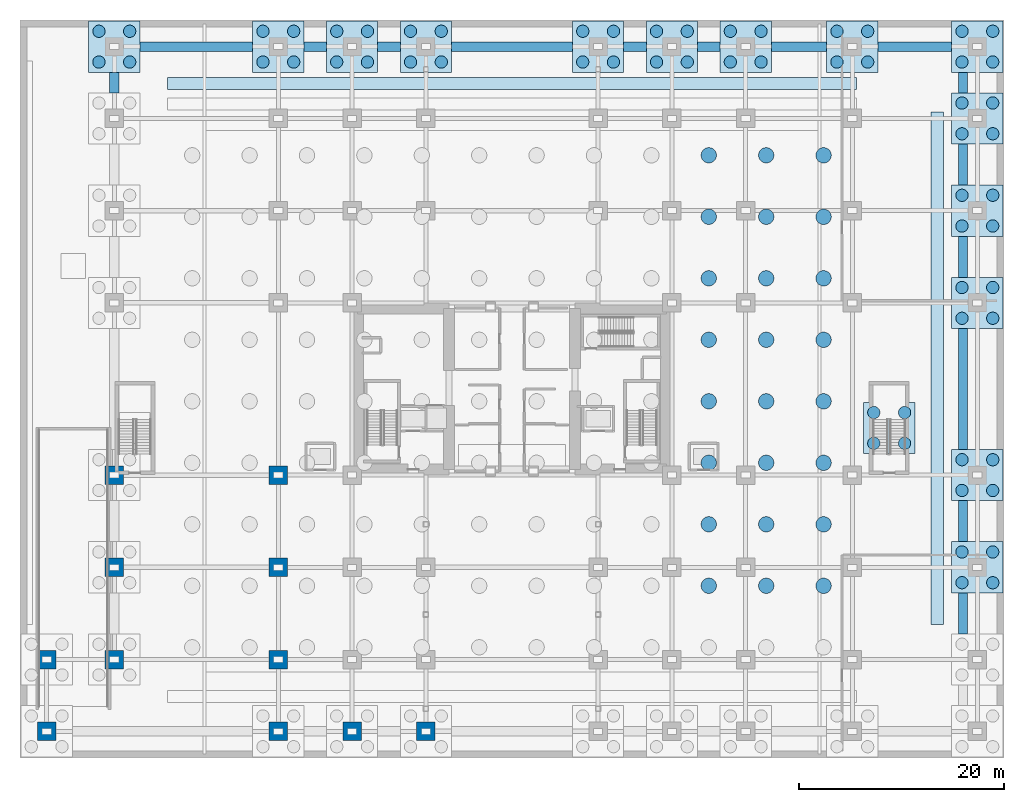
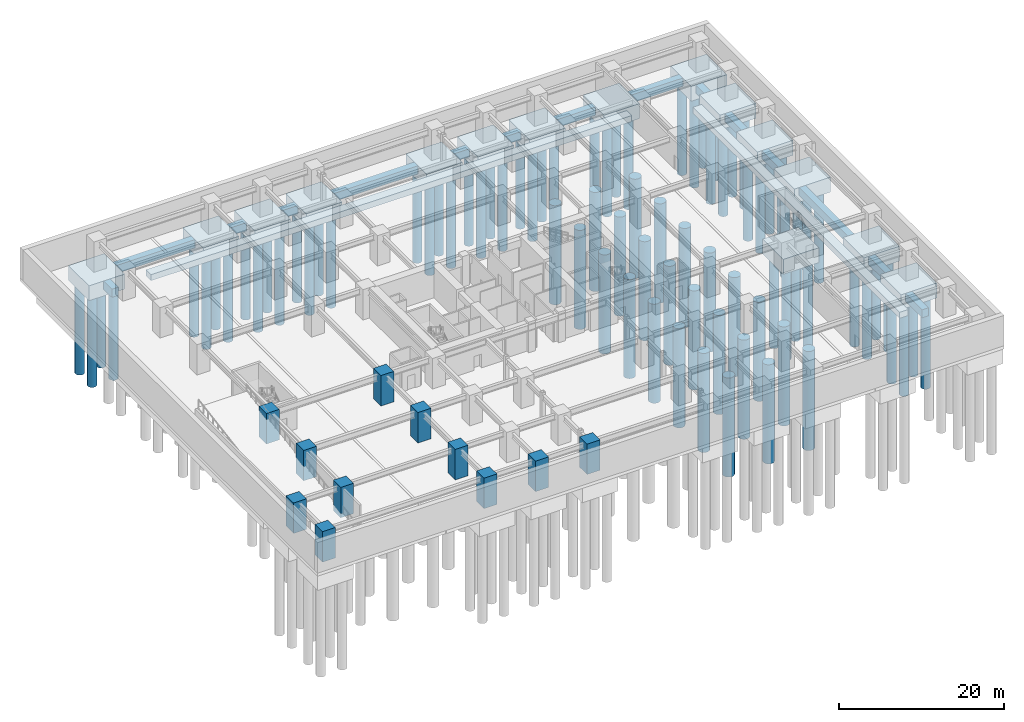
# One storey, part 2 of 23: 84 piles, 32 footings, 11 columns.
"""IFC4 building model written with IfcOpenShell, lengths in metres."""

from ifc_helpers import new_model, si_unit, direction, frame, origin, origin_2d, place, context, subcontext, project, spatial, rectangle, circle, extrude, material, material_profile, profile_set, type_object, element, save


model = new_model("IFC4")

# Units and contexts
model_context = context("Model", 3, precision=1e-05, world=origin(), true_north=direction((0.0, 1.0)))
body_context = subcontext(model_context, "Body", "Model", "MODEL_VIEW")
ifc_project = project(units=[si_unit("LENGTHUNIT", "METRE"), si_unit("AREAUNIT", "SQUARE_METRE"), si_unit("VOLUMEUNIT", "CUBIC_METRE"), si_unit("PLANEANGLEUNIT", "RADIAN"), si_unit("MASSUNIT", "GRAM", prefix="KILO")], contexts=[model_context])

# Site, building, storey
site_placement = place(None, origin())
site = spatial("IfcSite", under=ifc_project, at=site_placement, CompositionType="ELEMENT")
building_placement = place(site_placement, origin())
building = spatial("IfcBuilding", under=site, at=building_placement, Name="Kiyonajd Concourse Tower", CompositionType="ELEMENT")
storey_placement = place(building_placement, frame((0.0, 0.0, -9.0)))
storey = spatial("IfcBuildingStorey", under=building, at=storey_placement, Name="B2", CompositionType="ELEMENT", Elevation=-9.0)

# Footings
ifc_material_1 = material(Name="Concrete C50/60", Category="concrete")
footing_type_1 = type_object("IfcFootingType", Name="FT-GB-900", PredefinedType="FOOTING_BEAM", material=ifc_material_1)
footing_1_placement = place(storey_placement, frame((17.199951171875, 69.39990234375, -1.64990234375), z_axis=(0.0, 0.0, 1.0), x_axis=(1.0, 0.0, 0.0)))
element("IfcFooting", 1, at=footing_1_placement, inside=storey, type_object=footing_type_1, Name="Continuous Grade Beam GB N 1", PredefinedType="FOOTING_BEAM", context=body_context, shape_type="SweptSolid", body=[
    extrude(rectangle(XDim=11.0, YDim=0.89990234375, at=origin_2d()), origin(), (0.0, 0.0, 1.0), 1.199951171875),
])
for number, where, z_axis, x_axis, name in (
    (2, (28.800048828125, 69.39990234375, -1.64990234375), (0.0, 0.0, 1.0), (1.0, 0.0, 0.0), "Continuous Grade Beam GB N 2"),
    (3, (36.0, 69.39990234375, -1.64990234375), (0.0, 0.0, 1.0), (1.0, 0.0, 0.0), "Continuous Grade Beam GB N 3"),
):
    element("IfcFooting", number, at=place(storey_placement, frame(where, z_axis=z_axis, x_axis=x_axis)), inside=storey, type_object=footing_type_1, Name=name, PredefinedType="FOOTING_BEAM", context=body_context, shape_type="SweptSolid", body=[
        extrude(rectangle(XDim=2.199951171875, YDim=0.89990234375, at=origin_2d()), origin(), (0.0, 0.0, 1.0), 1.199951171875),
    ])
footing_2_placement = place(storey_placement, frame((48.0, 69.39990234375, -1.64990234375), z_axis=(0.0, 0.0, 1.0), x_axis=(1.0, 0.0, 0.0)))
element("IfcFooting", 4, at=footing_2_placement, inside=storey, type_object=footing_type_1, Name="Continuous Grade Beam GB N 4", PredefinedType="FOOTING_BEAM", context=body_context, shape_type="SweptSolid", body=[
    extrude(rectangle(XDim=11.800048828125, YDim=0.89990234375, at=origin_2d()), origin(), (0.0, 0.0, 1.0), 1.199951171875),
])
for number, where, z_axis, x_axis, name in (
    (5, (60.0, 69.39990234375, -1.64990234375), (0.0, 0.0, 1.0), (1.0, 0.0, 0.0), "Continuous Grade Beam GB N 5"),
    (6, (67.199951171875, 69.39990234375, -1.64990234375), (0.0, 0.0, 1.0), (1.0, 0.0, 0.0), "Continuous Grade Beam GB N 6"),
):
    element("IfcFooting", number, at=place(storey_placement, frame(where, z_axis=z_axis, x_axis=x_axis)), inside=storey, type_object=footing_type_1, Name=name, PredefinedType="FOOTING_BEAM", context=body_context, shape_type="SweptSolid", body=[
        extrude(rectangle(XDim=2.199951171875, YDim=0.89990234375, at=origin_2d()), origin(), (0.0, 0.0, 1.0), 1.199951171875),
    ])
footing_3_placement = place(storey_placement, frame((76.0, 69.39990234375, -1.64990234375), z_axis=(0.0, 0.0, 1.0), x_axis=(1.0, 0.0, 0.0)))
element("IfcFooting", 7, at=footing_3_placement, inside=storey, type_object=footing_type_1, Name="Continuous Grade Beam GB N 7", PredefinedType="FOOTING_BEAM", context=body_context, shape_type="SweptSolid", body=[
    extrude(rectangle(XDim=5.39990234375, YDim=0.89990234375, at=origin_2d()), origin(), (0.0, 0.0, 1.0), 1.199951171875),
])
footing_4_placement = place(storey_placement, frame((87.300048828125, 69.39990234375, -1.64990234375), z_axis=(0.0, 0.0, 1.0), x_axis=(1.0, 0.0, 0.0)))
element("IfcFooting", 8, at=footing_4_placement, inside=storey, type_object=footing_type_1, Name="Continuous Grade Beam GB N 8", PredefinedType="FOOTING_BEAM", context=body_context, shape_type="SweptSolid", body=[
    extrude(rectangle(XDim=7.199951171875, YDim=0.89990234375, at=origin_2d()), origin(), (0.0, 0.0, 1.0), 1.199951171875),
])
footing_5_placement = place(storey_placement, frame((9.199951171875, 65.89990234375, -1.64990234375), z_axis=(0.0, 0.0, 1.0), x_axis=(0.0, 1.0, 0.0)))
element("IfcFooting", 9, at=footing_5_placement, inside=storey, type_object=footing_type_1, Name="Continuous Grade Beam GB W 6", PredefinedType="FOOTING_BEAM", context=body_context, shape_type="SweptSolid", body=[
    extrude(rectangle(XDim=2.0, YDim=0.89990234375, at=origin_2d()), origin(), (0.0, 0.0, 1.0), 1.199951171875),
])
for number, where, z_axis, x_axis, name in (
    (10, (92.0, 14.10009765625, -1.64990234375), (0.0, 0.0, 1.0), (0.0, 1.0, 0.0), "Continuous Grade Beam GB E 2"),
    (11, (92.0, 23.10009765625, -1.64990234375), (0.0, 0.0, 1.0), (0.0, 1.0, 0.0), "Continuous Grade Beam GB E 3"),
):
    element("IfcFooting", number, at=place(storey_placement, frame(where, z_axis=z_axis, x_axis=x_axis)), inside=storey, type_object=footing_type_1, Name=name, PredefinedType="FOOTING_BEAM", context=body_context, shape_type="SweptSolid", body=[
        extrude(rectangle(XDim=4.0, YDim=0.89990234375, at=origin_2d()), origin(), (0.0, 0.0, 1.0), 1.199951171875),
    ])
footing_6_placement = place(storey_placement, frame((92.0, 36.0, -1.64990234375), z_axis=(0.0, 0.0, 1.0), x_axis=(0.0, 1.0, 0.0)))
element("IfcFooting", 12, at=footing_6_placement, inside=storey, type_object=footing_type_1, Name="Continuous Grade Beam GB E 4", PredefinedType="FOOTING_BEAM", context=body_context, shape_type="SweptSolid", body=[
    extrude(rectangle(XDim=11.800048828125, YDim=0.89990234375, at=origin_2d()), origin(), (0.0, 0.0, 1.0), 1.199951171875),
])
for number, where, z_axis, x_axis, name in (
    (13, (92.0, 48.89990234375, -1.64990234375), (0.0, 0.0, 1.0), (0.0, 1.0, 0.0), "Continuous Grade Beam GB E 5"),
    (14, (92.0, 57.89990234375, -1.64990234375), (0.0, 0.0, 1.0), (0.0, 1.0, 0.0), "Continuous Grade Beam GB E 6"),
):
    element("IfcFooting", number, at=place(storey_placement, frame(where, z_axis=z_axis, x_axis=x_axis)), inside=storey, type_object=footing_type_1, Name=name, PredefinedType="FOOTING_BEAM", context=body_context, shape_type="SweptSolid", body=[
        extrude(rectangle(XDim=4.0, YDim=0.89990234375, at=origin_2d()), origin(), (0.0, 0.0, 1.0), 1.199951171875),
    ])
footing_7_placement = place(storey_placement, frame((92.0, 65.89990234375, -1.64990234375), z_axis=(0.0, 0.0, 1.0), x_axis=(0.0, 1.0, 0.0)))
element("IfcFooting", 15, at=footing_7_placement, inside=storey, type_object=footing_type_1, Name="Continuous Grade Beam GB E 7", PredefinedType="FOOTING_BEAM", context=body_context, shape_type="SweptSolid", body=[
    extrude(rectangle(XDim=2.0, YDim=0.89990234375, at=origin_2d()), origin(), (0.0, 0.0, 1.0), 1.199951171875),
])
footing_type_2 = type_object("IfcFootingType", Name="FT-PCAP-5000", PredefinedType="PILE_CAP", material=ifc_material_1)
for number, where, z_axis, x_axis, name in (
    (16, (9.199951171875, 69.39990234375, -2.64990234375), (0.0, 0.0, 1.0), (1.0, 0.0, 0.0), "Podium Pile Cap 09"),
    (17, (25.199951171875, 69.39990234375, -2.64990234375), (0.0, 0.0, 1.0), (1.0, 0.0, 0.0), "Podium Pile Cap 11"),
    (18, (32.39990234375, 69.39990234375, -2.64990234375), (0.0, 0.0, 1.0), (1.0, 0.0, 0.0), "Podium Pile Cap 13"),
    (19, (39.60009765625, 69.39990234375, -2.64990234375), (0.0, 0.0, 1.0), (1.0, 0.0, 0.0), "Podium Pile Cap 15"),
    (20, (56.39990234375, 69.39990234375, -2.64990234375), (0.0, 0.0, 1.0), (1.0, 0.0, 0.0), "Podium Pile Cap 17"),
    (21, (63.60009765625, 69.39990234375, -2.64990234375), (0.0, 0.0, 1.0), (1.0, 0.0, 0.0), "Podium Pile Cap 19"),
    (22, (70.800048828125, 69.39990234375, -2.64990234375), (0.0, 0.0, 1.0), (1.0, 0.0, 0.0), "Podium Pile Cap 21"),
    (23, (81.199951171875, 69.39990234375, -2.64990234375), (0.0, 0.0, 1.0), (1.0, 0.0, 0.0), "Podium Pile Cap 23"),
    (24, (93.39990234375, 18.60009765625, -2.64990234375), (0.0, 0.0, 1.0), (1.0, 0.0, 0.0), "Podium Pile Cap 26"),
    (25, (93.39990234375, 27.60009765625, -2.64990234375), (0.0, 0.0, 1.0), (1.0, 0.0, 0.0), "Podium Pile Cap 27"),
    (26, (93.39990234375, 44.39990234375, -2.64990234375), (0.0, 0.0, 1.0), (1.0, 0.0, 0.0), "Podium Pile Cap 28"),
    (27, (93.39990234375, 53.39990234375, -2.64990234375), (0.0, 0.0, 1.0), (1.0, 0.0, 0.0), "Podium Pile Cap 29"),
    (28, (93.39990234375, 62.39990234375, -2.64990234375), (0.0, 0.0, 1.0), (1.0, 0.0, 0.0), "Podium Pile Cap 30"),
    (29, (93.39990234375, 69.39990234375, -2.64990234375), (0.0, 0.0, 1.0), (1.0, 0.0, 0.0), "Podium Pile Cap 31"),
    (30, (84.800048828125, 32.199951171875, -2.64990234375), (0.0, 0.0, 1.0), (1.0, 0.0, 0.0), "Podium Pile Cap 32"),
):
    element("IfcFooting", number, at=place(storey_placement, frame(where, z_axis=z_axis, x_axis=x_axis)), inside=storey, type_object=footing_type_2, Name=name, PredefinedType="PILE_CAP", context=body_context, shape_type="SweptSolid", body=[
        extrude(rectangle(XDim=5.0, YDim=5.0, at=origin_2d()), origin(), (0.0, 0.0, 1.0), 2.199951171875),
    ])
footing_type_3 = type_object("IfcFootingType", Name="FT-SF-1200", PredefinedType="STRIP_FOOTING", material=ifc_material_1)
footing_8_placement = place(storey_placement, frame((48.0, 65.800048828125, -1.349853515625), z_axis=(0.0, 0.0, 1.0), x_axis=(1.0, 0.0, 0.0)))
element("IfcFooting", 31, at=footing_8_placement, inside=storey, type_object=footing_type_3, Name="Continuous Strip Footing SF N", PredefinedType="STRIP_FOOTING", context=body_context, shape_type="SweptSolid", body=[
    extrude(rectangle(XDim=67.199951171875, YDim=1.199951171875, at=origin_2d()), origin(), (0.0, 0.0, 1.0), 0.89990234375),
])
footing_9_placement = place(storey_placement, frame((89.5, 38.0, -1.349853515625), z_axis=(0.0, 0.0, 1.0), x_axis=(0.0, 1.0, 0.0)))
element("IfcFooting", 32, at=footing_9_placement, inside=storey, type_object=footing_type_3, Name="Continuous Strip Footing SF E1", PredefinedType="STRIP_FOOTING", context=body_context, shape_type="SweptSolid", body=[
    extrude(rectangle(XDim=50.0, YDim=1.199951171875, at=origin_2d()), origin(), (0.0, 0.0, 1.0), 0.89990234375),
])

# Piles
ifc_material_profile_1 = material_profile(ifc_material_1, circle(Radius=0.60009765625, at=origin_2d()), Name="PILE-D1200")
ifc_profile_set_1 = profile_set([ifc_material_profile_1], Name="Concrete C50/60")
pile_type_1 = type_object("IfcPileType", Name="PI-BORED-1200", PredefinedType="BORED", material=ifc_profile_set_1)
for number, where, z_axis, x_axis, name in (
    (33, (7.699951171875, 67.89990234375, -2.550048828125), (0.0, 0.0, -1.0), (1.0, 0.0, 0.0), "Podium Rock-Socketed Bored Pile 033"),
    (34, (10.699951171875, 67.89990234375, -2.550048828125), (0.0, 0.0, -1.0), (1.0, 0.0, 0.0), "Podium Rock-Socketed Bored Pile 034"),
    (35, (7.699951171875, 70.89990234375, -2.550048828125), (0.0, 0.0, -1.0), (1.0, 0.0, 0.0), "Podium Rock-Socketed Bored Pile 035"),
    (36, (10.699951171875, 70.89990234375, -2.550048828125), (0.0, 0.0, -1.0), (1.0, 0.0, 0.0), "Podium Rock-Socketed Bored Pile 036"),
    (37, (23.699951171875, 67.89990234375, -2.550048828125), (0.0, 0.0, -1.0), (1.0, 0.0, 0.0), "Podium Rock-Socketed Bored Pile 041"),
    (38, (26.699951171875, 67.89990234375, -2.550048828125), (0.0, 0.0, -1.0), (1.0, 0.0, 0.0), "Podium Rock-Socketed Bored Pile 042"),
    (39, (23.699951171875, 70.89990234375, -2.550048828125), (0.0, 0.0, -1.0), (1.0, 0.0, 0.0), "Podium Rock-Socketed Bored Pile 043"),
    (40, (26.699951171875, 70.89990234375, -2.550048828125), (0.0, 0.0, -1.0), (1.0, 0.0, 0.0), "Podium Rock-Socketed Bored Pile 044"),
    (41, (30.89990234375, 67.89990234375, -2.550048828125), (0.0, 0.0, -1.0), (1.0, 0.0, 0.0), "Podium Rock-Socketed Bored Pile 049"),
    (42, (33.89990234375, 67.89990234375, -2.550048828125), (0.0, 0.0, -1.0), (1.0, 0.0, 0.0), "Podium Rock-Socketed Bored Pile 050"),
    (43, (30.89990234375, 70.89990234375, -2.550048828125), (0.0, 0.0, -1.0), (1.0, 0.0, 0.0), "Podium Rock-Socketed Bored Pile 051"),
    (44, (33.89990234375, 70.89990234375, -2.550048828125), (0.0, 0.0, -1.0), (1.0, 0.0, 0.0), "Podium Rock-Socketed Bored Pile 052"),
    (45, (38.10009765625, 67.89990234375, -2.550048828125), (0.0, 0.0, -1.0), (1.0, 0.0, 0.0), "Podium Rock-Socketed Bored Pile 057"),
    (46, (41.10009765625, 67.89990234375, -2.550048828125), (0.0, 0.0, -1.0), (1.0, 0.0, 0.0), "Podium Rock-Socketed Bored Pile 058"),
    (47, (38.10009765625, 70.89990234375, -2.550048828125), (0.0, 0.0, -1.0), (1.0, 0.0, 0.0), "Podium Rock-Socketed Bored Pile 059"),
    (48, (41.10009765625, 70.89990234375, -2.550048828125), (0.0, 0.0, -1.0), (1.0, 0.0, 0.0), "Podium Rock-Socketed Bored Pile 060"),
    (49, (54.89990234375, 67.89990234375, -2.550048828125), (0.0, 0.0, -1.0), (1.0, 0.0, 0.0), "Podium Rock-Socketed Bored Pile 065"),
    (50, (57.89990234375, 67.89990234375, -2.550048828125), (0.0, 0.0, -1.0), (1.0, 0.0, 0.0), "Podium Rock-Socketed Bored Pile 066"),
    (51, (54.89990234375, 70.89990234375, -2.550048828125), (0.0, 0.0, -1.0), (1.0, 0.0, 0.0), "Podium Rock-Socketed Bored Pile 067"),
    (52, (57.89990234375, 70.89990234375, -2.550048828125), (0.0, 0.0, -1.0), (1.0, 0.0, 0.0), "Podium Rock-Socketed Bored Pile 068"),
    (53, (62.10009765625, 67.89990234375, -2.550048828125), (0.0, 0.0, -1.0), (1.0, 0.0, 0.0), "Podium Rock-Socketed Bored Pile 073"),
    (54, (65.10009765625, 67.89990234375, -2.550048828125), (0.0, 0.0, -1.0), (1.0, 0.0, 0.0), "Podium Rock-Socketed Bored Pile 074"),
    (55, (62.10009765625, 70.89990234375, -2.550048828125), (0.0, 0.0, -1.0), (1.0, 0.0, 0.0), "Podium Rock-Socketed Bored Pile 075"),
    (56, (65.10009765625, 70.89990234375, -2.550048828125), (0.0, 0.0, -1.0), (1.0, 0.0, 0.0), "Podium Rock-Socketed Bored Pile 076"),
    (57, (69.300048828125, 67.89990234375, -2.550048828125), (0.0, 0.0, -1.0), (1.0, 0.0, 0.0), "Podium Rock-Socketed Bored Pile 081"),
    (58, (72.300048828125, 67.89990234375, -2.550048828125), (0.0, 0.0, -1.0), (1.0, 0.0, 0.0), "Podium Rock-Socketed Bored Pile 082"),
    (59, (69.300048828125, 70.89990234375, -2.550048828125), (0.0, 0.0, -1.0), (1.0, 0.0, 0.0), "Podium Rock-Socketed Bored Pile 083"),
    (60, (72.300048828125, 70.89990234375, -2.550048828125), (0.0, 0.0, -1.0), (1.0, 0.0, 0.0), "Podium Rock-Socketed Bored Pile 084"),
    (61, (79.699951171875, 67.89990234375, -2.550048828125), (0.0, 0.0, -1.0), (1.0, 0.0, 0.0), "Podium Rock-Socketed Bored Pile 089"),
    (62, (82.699951171875, 67.89990234375, -2.550048828125), (0.0, 0.0, -1.0), (1.0, 0.0, 0.0), "Podium Rock-Socketed Bored Pile 090"),
    (63, (79.699951171875, 70.89990234375, -2.550048828125), (0.0, 0.0, -1.0), (1.0, 0.0, 0.0), "Podium Rock-Socketed Bored Pile 091"),
    (64, (82.699951171875, 70.89990234375, -2.550048828125), (0.0, 0.0, -1.0), (1.0, 0.0, 0.0), "Podium Rock-Socketed Bored Pile 092"),
    (65, (91.89990234375, 17.10009765625, -2.550048828125), (0.0, 0.0, -1.0), (1.0, 0.0, 0.0), "Podium Rock-Socketed Bored Pile 101"),
    (66, (94.89990234375, 17.10009765625, -2.550048828125), (0.0, 0.0, -1.0), (1.0, 0.0, 0.0), "Podium Rock-Socketed Bored Pile 102"),
    (67, (91.89990234375, 20.10009765625, -2.550048828125), (0.0, 0.0, -1.0), (1.0, 0.0, 0.0), "Podium Rock-Socketed Bored Pile 103"),
    (68, (94.89990234375, 20.10009765625, -2.550048828125), (0.0, 0.0, -1.0), (1.0, 0.0, 0.0), "Podium Rock-Socketed Bored Pile 104"),
    (69, (91.89990234375, 26.10009765625, -2.550048828125), (0.0, 0.0, -1.0), (1.0, 0.0, 0.0), "Podium Rock-Socketed Bored Pile 105"),
    (70, (94.89990234375, 26.10009765625, -2.550048828125), (0.0, 0.0, -1.0), (1.0, 0.0, 0.0), "Podium Rock-Socketed Bored Pile 106"),
    (71, (91.89990234375, 29.10009765625, -2.550048828125), (0.0, 0.0, -1.0), (1.0, 0.0, 0.0), "Podium Rock-Socketed Bored Pile 107"),
    (72, (94.89990234375, 29.10009765625, -2.550048828125), (0.0, 0.0, -1.0), (1.0, 0.0, 0.0), "Podium Rock-Socketed Bored Pile 108"),
    (73, (91.89990234375, 42.89990234375, -2.550048828125), (0.0, 0.0, -1.0), (1.0, 0.0, 0.0), "Podium Rock-Socketed Bored Pile 109"),
    (74, (94.89990234375, 42.89990234375, -2.550048828125), (0.0, 0.0, -1.0), (1.0, 0.0, 0.0), "Podium Rock-Socketed Bored Pile 110"),
    (75, (91.89990234375, 45.89990234375, -2.550048828125), (0.0, 0.0, -1.0), (1.0, 0.0, 0.0), "Podium Rock-Socketed Bored Pile 111"),
    (76, (94.89990234375, 45.89990234375, -2.550048828125), (0.0, 0.0, -1.0), (1.0, 0.0, 0.0), "Podium Rock-Socketed Bored Pile 112"),
    (77, (91.89990234375, 51.89990234375, -2.550048828125), (0.0, 0.0, -1.0), (1.0, 0.0, 0.0), "Podium Rock-Socketed Bored Pile 113"),
    (78, (94.89990234375, 51.89990234375, -2.550048828125), (0.0, 0.0, -1.0), (1.0, 0.0, 0.0), "Podium Rock-Socketed Bored Pile 114"),
    (79, (91.89990234375, 54.89990234375, -2.550048828125), (0.0, 0.0, -1.0), (1.0, 0.0, 0.0), "Podium Rock-Socketed Bored Pile 115"),
    (80, (94.89990234375, 54.89990234375, -2.550048828125), (0.0, 0.0, -1.0), (1.0, 0.0, 0.0), "Podium Rock-Socketed Bored Pile 116"),
    (81, (91.89990234375, 60.89990234375, -2.550048828125), (0.0, 0.0, -1.0), (1.0, 0.0, 0.0), "Podium Rock-Socketed Bored Pile 117"),
    (82, (94.89990234375, 60.89990234375, -2.550048828125), (0.0, 0.0, -1.0), (1.0, 0.0, 0.0), "Podium Rock-Socketed Bored Pile 118"),
    (83, (91.89990234375, 63.89990234375, -2.550048828125), (0.0, 0.0, -1.0), (1.0, 0.0, 0.0), "Podium Rock-Socketed Bored Pile 119"),
    (84, (94.89990234375, 63.89990234375, -2.550048828125), (0.0, 0.0, -1.0), (1.0, 0.0, 0.0), "Podium Rock-Socketed Bored Pile 120"),
    (85, (91.89990234375, 67.89990234375, -2.550048828125), (0.0, 0.0, -1.0), (1.0, 0.0, 0.0), "Podium Rock-Socketed Bored Pile 121"),
    (86, (94.89990234375, 67.89990234375, -2.550048828125), (0.0, 0.0, -1.0), (1.0, 0.0, 0.0), "Podium Rock-Socketed Bored Pile 122"),
    (87, (91.89990234375, 70.89990234375, -2.550048828125), (0.0, 0.0, -1.0), (1.0, 0.0, 0.0), "Podium Rock-Socketed Bored Pile 123"),
    (88, (94.89990234375, 70.89990234375, -2.550048828125), (0.0, 0.0, -1.0), (1.0, 0.0, 0.0), "Podium Rock-Socketed Bored Pile 124"),
    (89, (83.300048828125, 30.699951171875, -2.550048828125), (0.0, 0.0, -1.0), (1.0, 0.0, 0.0), "Podium Rock-Socketed Bored Pile 125"),
    (90, (86.300048828125, 30.699951171875, -2.550048828125), (0.0, 0.0, -1.0), (1.0, 0.0, 0.0), "Podium Rock-Socketed Bored Pile 126"),
    (91, (83.300048828125, 33.699951171875, -2.550048828125), (0.0, 0.0, -1.0), (1.0, 0.0, 0.0), "Podium Rock-Socketed Bored Pile 127"),
    (92, (86.300048828125, 33.699951171875, -2.550048828125), (0.0, 0.0, -1.0), (1.0, 0.0, 0.0), "Podium Rock-Socketed Bored Pile 128"),
):
    element("IfcPile", number, at=place(storey_placement, frame(where, z_axis=z_axis, x_axis=x_axis)), inside=storey, type_object=pile_type_1, Name=name, PredefinedType="BORED", context=body_context, shape_type="SweptSolid", body=[
        extrude(circle(Radius=0.60009765625, at=origin_2d()), origin(), (0.0, 0.0, 1.0), 13.449951171875),
    ])
ifc_material_profile_2 = material_profile(ifc_material_1, circle(Radius=0.75, at=origin_2d()), Name="PILE-D1500")
ifc_profile_set_2 = profile_set([ifc_material_profile_2], Name="Concrete C50/60")
pile_type_2 = type_object("IfcPileType", Name="PI-BORED-1500", PredefinedType="BORED", material=ifc_profile_set_2)
for number, where, z_axis, x_axis, name in (
    (93, (67.199951171875, 16.800048828125, -4.35009765625), (0.0, 0.0, -1.0), (1.0, 0.0, 0.0), "Tower Rock-Socketed Bored Pile 083"),
    (94, (67.199951171875, 22.800048828125, -4.35009765625), (0.0, 0.0, -1.0), (1.0, 0.0, 0.0), "Tower Rock-Socketed Bored Pile 084"),
    (95, (67.199951171875, 28.800048828125, -4.35009765625), (0.0, 0.0, -1.0), (1.0, 0.0, 0.0), "Tower Rock-Socketed Bored Pile 085"),
    (96, (67.199951171875, 34.800048828125, -4.35009765625), (0.0, 0.0, -1.0), (1.0, 0.0, 0.0), "Tower Rock-Socketed Bored Pile 086"),
    (97, (67.199951171875, 40.800048828125, -4.35009765625), (0.0, 0.0, -1.0), (1.0, 0.0, 0.0), "Tower Rock-Socketed Bored Pile 087"),
    (98, (67.199951171875, 46.800048828125, -4.35009765625), (0.0, 0.0, -1.0), (1.0, 0.0, 0.0), "Tower Rock-Socketed Bored Pile 088"),
    (99, (67.199951171875, 52.800048828125, -4.35009765625), (0.0, 0.0, -1.0), (1.0, 0.0, 0.0), "Tower Rock-Socketed Bored Pile 089"),
    (100, (67.199951171875, 58.800048828125, -4.35009765625), (0.0, 0.0, -1.0), (1.0, 0.0, 0.0), "Tower Rock-Socketed Bored Pile 090"),
    (101, (72.800048828125, 16.800048828125, -4.35009765625), (0.0, 0.0, -1.0), (1.0, 0.0, 0.0), "Tower Rock-Socketed Bored Pile 092"),
    (102, (72.800048828125, 22.800048828125, -4.35009765625), (0.0, 0.0, -1.0), (1.0, 0.0, 0.0), "Tower Rock-Socketed Bored Pile 093"),
    (103, (72.800048828125, 28.800048828125, -4.35009765625), (0.0, 0.0, -1.0), (1.0, 0.0, 0.0), "Tower Rock-Socketed Bored Pile 094"),
    (104, (72.800048828125, 34.800048828125, -4.35009765625), (0.0, 0.0, -1.0), (1.0, 0.0, 0.0), "Tower Rock-Socketed Bored Pile 095"),
    (105, (72.800048828125, 40.800048828125, -4.35009765625), (0.0, 0.0, -1.0), (1.0, 0.0, 0.0), "Tower Rock-Socketed Bored Pile 096"),
    (106, (72.800048828125, 46.800048828125, -4.35009765625), (0.0, 0.0, -1.0), (1.0, 0.0, 0.0), "Tower Rock-Socketed Bored Pile 097"),
    (107, (72.800048828125, 52.800048828125, -4.35009765625), (0.0, 0.0, -1.0), (1.0, 0.0, 0.0), "Tower Rock-Socketed Bored Pile 098"),
    (108, (72.800048828125, 58.800048828125, -4.35009765625), (0.0, 0.0, -1.0), (1.0, 0.0, 0.0), "Tower Rock-Socketed Bored Pile 099"),
    (109, (78.39990234375, 16.800048828125, -4.35009765625), (0.0, 0.0, -1.0), (1.0, 0.0, 0.0), "Tower Rock-Socketed Bored Pile 101"),
    (110, (78.39990234375, 22.800048828125, -4.35009765625), (0.0, 0.0, -1.0), (1.0, 0.0, 0.0), "Tower Rock-Socketed Bored Pile 102"),
    (111, (78.39990234375, 28.800048828125, -4.35009765625), (0.0, 0.0, -1.0), (1.0, 0.0, 0.0), "Tower Rock-Socketed Bored Pile 103"),
    (112, (78.39990234375, 34.800048828125, -4.35009765625), (0.0, 0.0, -1.0), (1.0, 0.0, 0.0), "Tower Rock-Socketed Bored Pile 104"),
    (113, (78.39990234375, 40.800048828125, -4.35009765625), (0.0, 0.0, -1.0), (1.0, 0.0, 0.0), "Tower Rock-Socketed Bored Pile 105"),
    (114, (78.39990234375, 46.800048828125, -4.35009765625), (0.0, 0.0, -1.0), (1.0, 0.0, 0.0), "Tower Rock-Socketed Bored Pile 106"),
    (115, (78.39990234375, 52.800048828125, -4.35009765625), (0.0, 0.0, -1.0), (1.0, 0.0, 0.0), "Tower Rock-Socketed Bored Pile 107"),
    (116, (78.39990234375, 58.800048828125, -4.35009765625), (0.0, 0.0, -1.0), (1.0, 0.0, 0.0), "Tower Rock-Socketed Bored Pile 108"),
):
    element("IfcPile", number, at=place(storey_placement, frame(where, z_axis=z_axis, x_axis=x_axis)), inside=storey, type_object=pile_type_2, Name=name, PredefinedType="BORED", context=body_context, shape_type="SweptSolid", body=[
        extrude(circle(Radius=0.75, at=origin_2d()), origin(), (0.0, 0.0, 1.0), 14.64990234375),
    ])

# Columns
ifc_material_2 = material(Name="Concrete C80/95", Category="concrete")
ifc_material_profile_3 = material_profile(ifc_material_2, rectangle(XDim=1.800048828125, YDim=1.800048828125, at=origin_2d()), Name="RC-1800x1800")
ifc_profile_set_3 = profile_set([ifc_material_profile_3], Name="Concrete C80/95")
column_type = type_object("IfcColumnType", Name="CL-MEGA-1800", PredefinedType="COLUMN", material=ifc_profile_set_3)
for number, where, z_axis, x_axis, name in (
    (117, (2.60009765625, 2.60009765625, 0.0), (0.0, 0.0, 1.0), (1.0, 0.0, 0.0), "B2 Podium Mega Column"),
    (118, (2.60009765625, 9.60009765625, 0.0), (0.0, 0.0, 1.0), (1.0, 0.0, 0.0), "B2 Podium Mega Column"),
    (119, (9.199951171875, 9.60009765625, 0.0), (0.0, 0.0, 1.0), (1.0, 0.0, 0.0), "B2 Podium Mega Column"),
    (120, (9.199951171875, 18.60009765625, 0.0), (0.0, 0.0, 1.0), (1.0, 0.0, 0.0), "B2 Podium Mega Column"),
    (121, (9.199951171875, 27.60009765625, 0.0), (0.0, 0.0, 1.0), (1.0, 0.0, 0.0), "B2 Podium Mega Column"),
    (122, (25.199951171875, 2.60009765625, 0.0), (0.0, 0.0, 1.0), (1.0, 0.0, 0.0), "B2 Podium Mega Column"),
    (123, (25.199951171875, 9.60009765625, 0.0), (0.0, 0.0, 1.0), (1.0, 0.0, 0.0), "B2 Podium Mega Column"),
    (124, (25.199951171875, 18.60009765625, 0.0), (0.0, 0.0, 1.0), (1.0, 0.0, 0.0), "B2 Podium Mega Column"),
    (125, (25.199951171875, 27.60009765625, 0.0), (0.0, 0.0, 1.0), (1.0, 0.0, 0.0), "B2 Podium Mega Column"),
    (126, (32.39990234375, 2.60009765625, 0.0), (0.0, 0.0, 1.0), (1.0, 0.0, 0.0), "B2 Podium Mega Column"),
    (127, (39.60009765625, 2.60009765625, 0.0), (0.0, 0.0, 1.0), (1.0, 0.0, 0.0), "B2 Podium Mega Column"),
):
    element("IfcColumn", number, at=place(storey_placement, frame(where, z_axis=z_axis, x_axis=x_axis)), inside=storey, type_object=column_type, Name=name, PredefinedType="COLUMN", context=body_context, shape_type="SweptSolid", body=[
        extrude(rectangle(XDim=1.800048828125, YDim=1.800048828125, at=origin_2d()), origin(), (0.0, 0.0, 1.0), 4.5),
    ])

save(model, "model.ifc")
